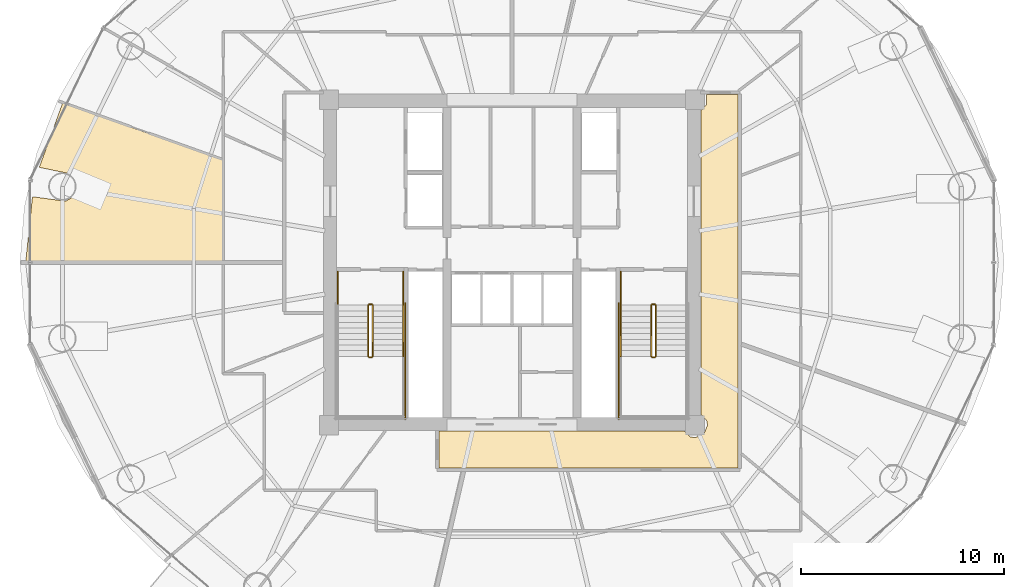
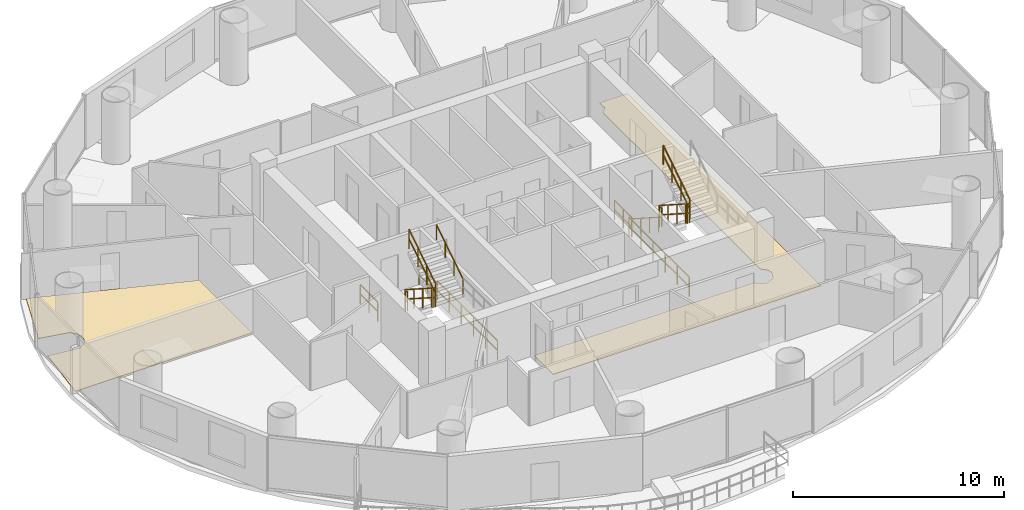
# One storey, part 25 of 26: 15 railings, 2 coverings.
"""IFC4 building model written with IfcOpenShell, lengths in metres."""

from ifc_helpers import new_model, si_unit, direction, frame, origin, origin_2d, place, context, subcontext, project, spatial, polyline, rectangle, outline, extrude, material, layer, layer_set, type_object, element, save


model = new_model("IFC4")

# Units and contexts
model_context = context("Model", 3, precision=1e-05, world=origin(), true_north=direction((-0.2419218956, 0.970295726276)))
body_context = subcontext(model_context, "Body", "Model", "MODEL_VIEW")
ifc_project = project(units=[si_unit("LENGTHUNIT", "METRE"), si_unit("AREAUNIT", "SQUARE_METRE"), si_unit("VOLUMEUNIT", "CUBIC_METRE"), si_unit("PLANEANGLEUNIT", "RADIAN"), si_unit("MASSUNIT", "GRAM", prefix="KILO")], contexts=[model_context])

# Site, building, storey
site_placement = place(None, origin())
site = spatial("IfcSite", under=ifc_project, at=site_placement, CompositionType="ELEMENT")
building_placement = place(site_placement, origin())
building = spatial("IfcBuilding", under=site, at=building_placement, Name="Cobrevalo Terracotta Tower", CompositionType="ELEMENT")
storey_placement = place(building_placement, frame((0.0, 0.0, 182.199951171875)))
storey = spatial("IfcBuildingStorey", under=building, at=storey_placement, Name="L48", CompositionType="ELEMENT", Elevation=182.199951171875)

# Coverings
ifc_material_1 = material(Name="Engineered Brazilian hardwood flooring", Category="wood")
ifc_layer_1 = layer(ifc_material_1, 0.028076171875)
ifc_layer_set_1 = layer_set([ifc_layer_1], Name="Engineered Brazilian hardwood flooring")
covering_type_1 = type_object("IfcCoveringType", Name="Engineered Hardwood Suite Flooring 28", PredefinedType="FLOORING", material=ifc_layer_set_1)
covering_1_placement = place(storey_placement, origin())
element("IfcCovering", 1, at=covering_1_placement, inside=storey, type_object=covering_type_1, Name="Flat L48B Penthouse Family Lounge floor finish", PredefinedType="FLOORING", context=body_context, shape_type="SweptSolid", body=[
    extrude(outline(polyline([(23.77490234375, 31.843017578125), (23.77490234375, 26.820068359375), (14.08154296875, 26.820068359375), (14.41357421875, 30.03369140625), (16.048583984375, 29.814697265625), (16.421630859375, 30.028076171875), (16.613037109375, 30.41259765625), (16.55859375, 30.8388671875), (16.2763671875, 31.1630859375), (14.748291015625, 31.478271484375), (15.898681640625, 34.647216796875), (23.77490234375, 31.843017578125)])), origin(), (0.0, 0.0, 1.0), 0.030029296875),
])
ifc_material_2 = material(Name="Honed terracotta and granite tile", Category="masonry")
ifc_layer_2 = layer(ifc_material_2, 0.034912109375)
ifc_layer_set_2 = layer_set([ifc_layer_2], Name="Honed terracotta and granite tile")
covering_type_2 = type_object("IfcCoveringType", Name="Honed Terracotta & Granite Interior Flooring 35", PredefinedType="FLOORING", material=ifc_layer_set_2)
covering_2_placement = place(storey_placement, origin())
element("IfcCovering", 2, at=covering_2_placement, inside=storey, type_object=covering_type_2, Name="L48 Residential Floor Corridor 1 floor finish", PredefinedType="FLOORING", context=body_context, shape_type="SweptSolid", body=[
    extrude(outline(polyline([(34.419921875, 18.5048828125), (46.46533203125, 18.5048828125), (46.7626953125, 18.226806640625), (47.0, 18.1796875), (47.438720703125, 18.361328125), (47.620361328125, 18.800048828125), (47.5732421875, 19.037353515625), (47.294921875, 19.334716796875), (47.294921875, 34.265380859375), (47.5732421875, 34.5625), (47.5615234375, 35.054931640625), (49.10498046875, 35.054931640625), (49.10498046875, 16.695068359375), (34.419921875, 16.695068359375), (34.419921875, 18.5048828125)])), origin(), (0.0, 0.0, 1.0), 0.030029296875),
])

# Railings
ifc_material_3 = material(Name="Brushed stainless steel", Category="steel")
railing_type_1 = type_object("IfcRailingType", Name="Stainless Steel Stair Handrail 900", PredefinedType="HANDRAIL", material=ifc_material_3)
railing_1_placement = place(storey_placement, frame((32.64501953125, 22.179931640625, 1.97998046875)))
element("IfcRailing", 3, at=railing_1_placement, inside=storey, type_object=railing_type_1, Name="L48 ST-1 stair handrail 2", PredefinedType="HANDRAIL", context=body_context, shape_type="SweptSolid", body=[
    extrude(rectangle(XDim=0.048095703125, YDim=0.048095703125, at=origin_2d()), frame((0.0, 0.0, 0.8759765625), z_axis=(0.0, 0.841162588446, 0.540782303519), x_axis=(-1.0, 0.0, 0.0)), (0.0, 0.0, 1.0), 2.995849609375),
    extrude(rectangle(XDim=0.0419921875, YDim=0.0419921875, at=origin_2d()), origin(), (0.0, 0.0, 1.0), 0.851806640625),
    extrude(rectangle(XDim=0.0419921875, YDim=0.0419921875, at=origin_2d()), frame((0.0, 0.840087890625, 0.5400390625)), (0.0, 0.0, 1.0), 0.851806640625),
    extrude(rectangle(XDim=0.0419921875, YDim=0.0419921875, at=origin_2d()), frame((0.0, 1.679931640625, 1.080078125)), (0.0, 0.0, 1.0), 0.851806640625),
    extrude(rectangle(XDim=0.0419921875, YDim=0.0419921875, at=origin_2d()), frame((0.0, 2.52001953125, 1.6201171875)), (0.0, 0.0, 1.0), 0.851806640625),
])
railing_2_placement = place(storey_placement, frame((43.35498046875, 24.699951171875, 0.179931640625)))
element("IfcRailing", 4, at=railing_2_placement, inside=storey, type_object=railing_type_1, Name="L48 ST-2 stair handrail 1", PredefinedType="HANDRAIL", context=body_context, shape_type="SweptSolid", body=[
    extrude(rectangle(XDim=0.048095703125, YDim=0.048095703125, at=origin_2d()), frame((0.0, 0.0, 0.8759765625), z_axis=(0.0, -0.841162588446, 0.540782303519), x_axis=(1.0, 0.0, 0.0)), (0.0, 0.0, 1.0), 2.995849609375),
    extrude(rectangle(XDim=0.0419921875, YDim=0.0419921875, at=origin_2d()), origin(), (0.0, 0.0, 1.0), 0.851806640625),
    extrude(rectangle(XDim=0.0419921875, YDim=0.0419921875, at=origin_2d()), frame((0.0, -0.840087890625, 0.5400390625)), (0.0, 0.0, 1.0), 0.851806640625),
    extrude(rectangle(XDim=0.0419921875, YDim=0.0419921875, at=origin_2d()), frame((0.0, -1.679931640625, 1.080078125)), (0.0, 0.0, 1.0), 0.851806640625),
    extrude(rectangle(XDim=0.0419921875, YDim=0.0419921875, at=origin_2d()), frame((0.0, -2.52001953125, 1.6201171875)), (0.0, 0.0, 1.0), 0.851806640625),
])
ifc_material_4 = material(Name="Painted galvanized steel", Category="steel")
railing_type_2 = type_object("IfcRailingType", Name="Stair Well Guard Balustrade 1150", PredefinedType="GUARDRAIL", material=ifc_material_4)
railing_3_placement = place(storey_placement, frame((30.925048828125, 24.699951171875, 0.179931640625)))
element("IfcRailing", 5, at=railing_3_placement, inside=storey, type_object=railing_type_2, Name="L48 ST-1 stair guard 1", PredefinedType="GUARDRAIL", context=body_context, shape_type="SweptSolid", body=[
    extrude(rectangle(XDim=0.048095703125, YDim=0.048095703125, at=origin_2d()), frame((0.0, 0.0, 1.1259765625), z_axis=(0.0, -0.841162588446, 0.540782303519), x_axis=(1.0, 0.0, 0.0)), (0.0, 0.0, 1.0), 2.995849609375),
    extrude(rectangle(XDim=0.048095703125, YDim=0.048095703125, at=origin_2d()), frame((0.0, 0.0, 0.574951171875), z_axis=(0.0, -0.841162588446, 0.540782303519), x_axis=(1.0, 0.0, 0.0)), (0.0, 0.0, 1.0), 2.995849609375),
    extrude(rectangle(XDim=0.0419921875, YDim=0.0419921875, at=origin_2d()), origin(), (0.0, 0.0, 1.0), 1.101806640625),
    extrude(rectangle(XDim=0.0419921875, YDim=0.0419921875, at=origin_2d()), frame((0.0, -0.840087890625, 0.5400390625)), (0.0, 0.0, 1.0), 1.101806640625),
    extrude(rectangle(XDim=0.0419921875, YDim=0.0419921875, at=origin_2d()), frame((0.0, -1.679931640625, 1.080078125)), (0.0, 0.0, 1.0), 1.101806640625),
    extrude(rectangle(XDim=0.0419921875, YDim=0.0419921875, at=origin_2d()), frame((0.0, -2.52001953125, 1.6201171875)), (0.0, 0.0, 1.0), 1.101806640625),
])
railing_4_placement = place(storey_placement, frame((30.97509765625, 22.1298828125, 1.800048828125)))
element("IfcRailing", 6, at=railing_4_placement, inside=storey, type_object=railing_type_2, Name="L48 ST-1 stair guard 2", PredefinedType="GUARDRAIL", context=body_context, shape_type="SweptSolid", body=[
    extrude(rectangle(XDim=0.048095703125, YDim=0.048095703125, at=origin_2d()), frame((0.0, 0.0, 1.1259765625), z_axis=(1.0, 0.0, 0.0), x_axis=(0.0, 1.0, 0.0)), (0.0, 0.0, 1.0), 0.119873046875),
    extrude(rectangle(XDim=0.048095703125, YDim=0.048095703125, at=origin_2d()), frame((0.0, 0.0, 0.574951171875), z_axis=(1.0, 0.0, 0.0), x_axis=(0.0, 1.0, 0.0)), (0.0, 0.0, 1.0), 0.119873046875),
    extrude(rectangle(XDim=0.0419921875, YDim=0.0419921875, at=origin_2d()), origin(), (0.0, 0.0, 1.0), 1.101806640625),
    extrude(rectangle(XDim=0.0419921875, YDim=0.0419921875, at=origin_2d()), frame((0.119873046875, 0.0, 0.0)), (0.0, 0.0, 1.0), 1.101806640625),
])
railing_5_placement = place(storey_placement, frame((31.14501953125, 22.179931640625, 1.97998046875)))
element("IfcRailing", 7, at=railing_5_placement, inside=storey, type_object=railing_type_2, Name="L48 ST-1 stair guard 6", PredefinedType="GUARDRAIL", context=body_context, shape_type="SweptSolid", body=[
    extrude(rectangle(XDim=0.048095703125, YDim=0.048095703125, at=origin_2d()), frame((0.0, 0.0, 1.1259765625), z_axis=(0.0, 0.841162588446, 0.540782303519), x_axis=(-1.0, 0.0, 0.0)), (0.0, 0.0, 1.0), 2.995849609375),
    extrude(rectangle(XDim=0.048095703125, YDim=0.048095703125, at=origin_2d()), frame((0.0, 0.0, 0.574951171875), z_axis=(0.0, 0.841162588446, 0.540782303519), x_axis=(-1.0, 0.0, 0.0)), (0.0, 0.0, 1.0), 2.995849609375),
    extrude(rectangle(XDim=0.0419921875, YDim=0.0419921875, at=origin_2d()), origin(), (0.0, 0.0, 1.0), 1.101806640625),
    extrude(rectangle(XDim=0.0419921875, YDim=0.0419921875, at=origin_2d()), frame((0.0, 0.840087890625, 0.5400390625)), (0.0, 0.0, 1.0), 1.101806640625),
    extrude(rectangle(XDim=0.0419921875, YDim=0.0419921875, at=origin_2d()), frame((0.0, 1.679931640625, 1.080078125)), (0.0, 0.0, 1.0), 1.101806640625),
    extrude(rectangle(XDim=0.0419921875, YDim=0.0419921875, at=origin_2d()), frame((0.0, 2.52001953125, 1.6201171875)), (0.0, 0.0, 1.0), 1.101806640625),
])
railing_6_placement = place(storey_placement, frame((30.97509765625, 24.75, 0.0)))
element("IfcRailing", 8, at=railing_6_placement, inside=storey, type_object=railing_type_2, Name="L48 ST-1 stair guard 7", PredefinedType="GUARDRAIL", context=body_context, shape_type="SweptSolid", body=[
    extrude(rectangle(XDim=0.048095703125, YDim=0.048095703125, at=origin_2d()), frame((0.0, 0.0, 1.1259765625), z_axis=(1.0, 0.0, 0.0), x_axis=(0.0, 1.0, 0.0)), (0.0, 0.0, 1.0), 0.119873046875),
    extrude(rectangle(XDim=0.048095703125, YDim=0.048095703125, at=origin_2d()), frame((0.0, 0.0, 0.574951171875), z_axis=(1.0, 0.0, 0.0), x_axis=(0.0, 1.0, 0.0)), (0.0, 0.0, 1.0), 0.119873046875),
    extrude(rectangle(XDim=0.0419921875, YDim=0.0419921875, at=origin_2d()), origin(), (0.0, 0.0, 1.0), 1.101806640625),
    extrude(rectangle(XDim=0.0419921875, YDim=0.0419921875, at=origin_2d()), frame((0.119873046875, 0.0, 0.0)), (0.0, 0.0, 1.0), 1.101806640625),
])
for number, where, name in (
    (9, (29.425048828125, 26.35009765625, 0.0), "L48 ST-1 stair guard 8"),
    (10, (32.64501953125, 26.35009765625, 0.0), "L48 ST-1 stair guard 9"),
):
    element("IfcRailing", number, at=place(storey_placement, frame(where)), inside=storey, type_object=railing_type_2, Name=name, PredefinedType="GUARDRAIL", context=body_context, shape_type="SweptSolid", body=[
        extrude(rectangle(XDim=0.048095703125, YDim=0.048095703125, at=origin_2d()), frame((0.0, 0.0, 1.1259765625), z_axis=(0.0, -1.0, 0.0), x_axis=(1.0, 0.0, 0.0)), (0.0, 0.0, 1.0), 1.650146484375),
        extrude(rectangle(XDim=0.048095703125, YDim=0.048095703125, at=origin_2d()), frame((0.0, 0.0, 0.574951171875), z_axis=(0.0, -1.0, 0.0), x_axis=(1.0, 0.0, 0.0)), (0.0, 0.0, 1.0), 1.650146484375),
        extrude(rectangle(XDim=0.0419921875, YDim=0.0419921875, at=origin_2d()), origin(), (0.0, 0.0, 1.0), 1.101806640625),
        extrude(rectangle(XDim=0.0419921875, YDim=0.0419921875, at=origin_2d()), frame((0.0, -0.8251953125, 0.0)), (0.0, 0.0, 1.0), 1.101806640625),
        extrude(rectangle(XDim=0.0419921875, YDim=0.0419921875, at=origin_2d()), frame((0.0, -1.650146484375, 0.0)), (0.0, 0.0, 1.0), 1.101806640625),
    ])
railing_7_placement = place(storey_placement, frame((32.7451171875, 24.800048828125, 0.0)))
element("IfcRailing", 11, at=railing_7_placement, inside=storey, type_object=railing_type_2, Name="L48 ST-1 stair guard 11", PredefinedType="GUARDRAIL", context=body_context, shape_type="SweptSolid", body=[
    extrude(rectangle(XDim=0.048095703125, YDim=0.048095703125, at=origin_2d()), frame((0.0, 0.0, 1.1259765625), z_axis=(0.0, -1.0, 0.0), x_axis=(1.0, 0.0, 0.0)), (0.0, 0.0, 1.0), 5.72509765625),
    extrude(rectangle(XDim=0.048095703125, YDim=0.048095703125, at=origin_2d()), frame((0.0, 0.0, 0.574951171875), z_axis=(0.0, -1.0, 0.0), x_axis=(1.0, 0.0, 0.0)), (0.0, 0.0, 1.0), 5.72509765625),
    extrude(rectangle(XDim=0.0419921875, YDim=0.0419921875, at=origin_2d()), origin(), (0.0, 0.0, 1.0), 1.101806640625),
    extrude(rectangle(XDim=0.0419921875, YDim=0.0419921875, at=origin_2d()), frame((0.0, -1.14501953125, 0.0)), (0.0, 0.0, 1.0), 1.101806640625),
    extrude(rectangle(XDim=0.0419921875, YDim=0.0419921875, at=origin_2d()), frame((0.0, -2.2900390625, 0.0)), (0.0, 0.0, 1.0), 1.101806640625),
    extrude(rectangle(XDim=0.0419921875, YDim=0.0419921875, at=origin_2d()), frame((0.0, -3.43505859375, 0.0)), (0.0, 0.0, 1.0), 1.101806640625),
    extrude(rectangle(XDim=0.0419921875, YDim=0.0419921875, at=origin_2d()), frame((0.0, -4.580078125, 0.0)), (0.0, 0.0, 1.0), 1.101806640625),
    extrude(rectangle(XDim=0.0419921875, YDim=0.0419921875, at=origin_2d()), frame((0.0, -5.72509765625, 0.0)), (0.0, 0.0, 1.0), 1.101806640625),
])
railing_8_placement = place(storey_placement, frame((44.85498046875, 24.699951171875, 0.179931640625)))
element("IfcRailing", 12, at=railing_8_placement, inside=storey, type_object=railing_type_2, Name="L48 ST-2 stair guard 1", PredefinedType="GUARDRAIL", context=body_context, shape_type="SweptSolid", body=[
    extrude(rectangle(XDim=0.048095703125, YDim=0.048095703125, at=origin_2d()), frame((0.0, 0.0, 1.1259765625), z_axis=(0.0, -0.841162588446, 0.540782303519), x_axis=(1.0, 0.0, 0.0)), (0.0, 0.0, 1.0), 2.995849609375),
    extrude(rectangle(XDim=0.048095703125, YDim=0.048095703125, at=origin_2d()), frame((0.0, 0.0, 0.574951171875), z_axis=(0.0, -0.841162588446, 0.540782303519), x_axis=(1.0, 0.0, 0.0)), (0.0, 0.0, 1.0), 2.995849609375),
    extrude(rectangle(XDim=0.0419921875, YDim=0.0419921875, at=origin_2d()), origin(), (0.0, 0.0, 1.0), 1.101806640625),
    extrude(rectangle(XDim=0.0419921875, YDim=0.0419921875, at=origin_2d()), frame((0.0, -0.840087890625, 0.5400390625)), (0.0, 0.0, 1.0), 1.101806640625),
    extrude(rectangle(XDim=0.0419921875, YDim=0.0419921875, at=origin_2d()), frame((0.0, -1.679931640625, 1.080078125)), (0.0, 0.0, 1.0), 1.101806640625),
    extrude(rectangle(XDim=0.0419921875, YDim=0.0419921875, at=origin_2d()), frame((0.0, -2.52001953125, 1.6201171875)), (0.0, 0.0, 1.0), 1.101806640625),
])
railing_9_placement = place(storey_placement, frame((44.905029296875, 22.1298828125, 1.800048828125)))
element("IfcRailing", 13, at=railing_9_placement, inside=storey, type_object=railing_type_2, Name="L48 ST-2 stair guard 2", PredefinedType="GUARDRAIL", context=body_context, shape_type="SweptSolid", body=[
    extrude(rectangle(XDim=0.048095703125, YDim=0.048095703125, at=origin_2d()), frame((0.0, 0.0, 1.1259765625), z_axis=(1.0, 0.0, 0.0), x_axis=(0.0, 1.0, 0.0)), (0.0, 0.0, 1.0), 0.119873046875),
    extrude(rectangle(XDim=0.048095703125, YDim=0.048095703125, at=origin_2d()), frame((0.0, 0.0, 0.574951171875), z_axis=(1.0, 0.0, 0.0), x_axis=(0.0, 1.0, 0.0)), (0.0, 0.0, 1.0), 0.119873046875),
    extrude(rectangle(XDim=0.0419921875, YDim=0.0419921875, at=origin_2d()), origin(), (0.0, 0.0, 1.0), 1.101806640625),
    extrude(rectangle(XDim=0.0419921875, YDim=0.0419921875, at=origin_2d()), frame((0.119873046875, 0.0, 0.0)), (0.0, 0.0, 1.0), 1.101806640625),
])
railing_10_placement = place(storey_placement, frame((45.074951171875, 22.179931640625, 1.97998046875)))
element("IfcRailing", 14, at=railing_10_placement, inside=storey, type_object=railing_type_2, Name="L48 ST-2 stair guard 6", PredefinedType="GUARDRAIL", context=body_context, shape_type="SweptSolid", body=[
    extrude(rectangle(XDim=0.048095703125, YDim=0.048095703125, at=origin_2d()), frame((0.0, 0.0, 1.1259765625), z_axis=(0.0, 0.841162588446, 0.540782303519), x_axis=(-1.0, 0.0, 0.0)), (0.0, 0.0, 1.0), 2.995849609375),
    extrude(rectangle(XDim=0.048095703125, YDim=0.048095703125, at=origin_2d()), frame((0.0, 0.0, 0.574951171875), z_axis=(0.0, 0.841162588446, 0.540782303519), x_axis=(-1.0, 0.0, 0.0)), (0.0, 0.0, 1.0), 2.995849609375),
    extrude(rectangle(XDim=0.0419921875, YDim=0.0419921875, at=origin_2d()), origin(), (0.0, 0.0, 1.0), 1.101806640625),
    extrude(rectangle(XDim=0.0419921875, YDim=0.0419921875, at=origin_2d()), frame((0.0, 0.840087890625, 0.5400390625)), (0.0, 0.0, 1.0), 1.101806640625),
    extrude(rectangle(XDim=0.0419921875, YDim=0.0419921875, at=origin_2d()), frame((0.0, 1.679931640625, 1.080078125)), (0.0, 0.0, 1.0), 1.101806640625),
    extrude(rectangle(XDim=0.0419921875, YDim=0.0419921875, at=origin_2d()), frame((0.0, 2.52001953125, 1.6201171875)), (0.0, 0.0, 1.0), 1.101806640625),
])
railing_11_placement = place(storey_placement, frame((44.905029296875, 24.75, 0.0)))
element("IfcRailing", 15, at=railing_11_placement, inside=storey, type_object=railing_type_2, Name="L48 ST-2 stair guard 7", PredefinedType="GUARDRAIL", context=body_context, shape_type="SweptSolid", body=[
    extrude(rectangle(XDim=0.048095703125, YDim=0.048095703125, at=origin_2d()), frame((0.0, 0.0, 1.1259765625), z_axis=(1.0, 0.0, 0.0), x_axis=(0.0, 1.0, 0.0)), (0.0, 0.0, 1.0), 0.119873046875),
    extrude(rectangle(XDim=0.048095703125, YDim=0.048095703125, at=origin_2d()), frame((0.0, 0.0, 0.574951171875), z_axis=(1.0, 0.0, 0.0), x_axis=(0.0, 1.0, 0.0)), (0.0, 0.0, 1.0), 0.119873046875),
    extrude(rectangle(XDim=0.0419921875, YDim=0.0419921875, at=origin_2d()), origin(), (0.0, 0.0, 1.0), 1.101806640625),
    extrude(rectangle(XDim=0.0419921875, YDim=0.0419921875, at=origin_2d()), frame((0.119873046875, 0.0, 0.0)), (0.0, 0.0, 1.0), 1.101806640625),
])
railing_12_placement = place(storey_placement, frame((43.35498046875, 26.35009765625, 0.0)))
element("IfcRailing", 16, at=railing_12_placement, inside=storey, type_object=railing_type_2, Name="L48 ST-2 stair guard 8", PredefinedType="GUARDRAIL", context=body_context, shape_type="SweptSolid", body=[
    extrude(rectangle(XDim=0.048095703125, YDim=0.048095703125, at=origin_2d()), frame((0.0, 0.0, 1.1259765625), z_axis=(0.0, -1.0, 0.0), x_axis=(1.0, 0.0, 0.0)), (0.0, 0.0, 1.0), 1.650146484375),
    extrude(rectangle(XDim=0.048095703125, YDim=0.048095703125, at=origin_2d()), frame((0.0, 0.0, 0.574951171875), z_axis=(0.0, -1.0, 0.0), x_axis=(1.0, 0.0, 0.0)), (0.0, 0.0, 1.0), 1.650146484375),
    extrude(rectangle(XDim=0.0419921875, YDim=0.0419921875, at=origin_2d()), origin(), (0.0, 0.0, 1.0), 1.101806640625),
    extrude(rectangle(XDim=0.0419921875, YDim=0.0419921875, at=origin_2d()), frame((0.0, -0.8251953125, 0.0)), (0.0, 0.0, 1.0), 1.101806640625),
    extrude(rectangle(XDim=0.0419921875, YDim=0.0419921875, at=origin_2d()), frame((0.0, -1.650146484375, 0.0)), (0.0, 0.0, 1.0), 1.101806640625),
])
railing_13_placement = place(storey_placement, frame((43.2548828125, 24.800048828125, 0.0)))
element("IfcRailing", 17, at=railing_13_placement, inside=storey, type_object=railing_type_2, Name="L48 ST-2 stair guard 10", PredefinedType="GUARDRAIL", context=body_context, shape_type="SweptSolid", body=[
    extrude(rectangle(XDim=0.048095703125, YDim=0.048095703125, at=origin_2d()), frame((0.0, 0.0, 1.1259765625), z_axis=(0.0, -1.0, 0.0), x_axis=(1.0, 0.0, 0.0)), (0.0, 0.0, 1.0), 5.72509765625),
    extrude(rectangle(XDim=0.048095703125, YDim=0.048095703125, at=origin_2d()), frame((0.0, 0.0, 0.574951171875), z_axis=(0.0, -1.0, 0.0), x_axis=(1.0, 0.0, 0.0)), (0.0, 0.0, 1.0), 5.72509765625),
    extrude(rectangle(XDim=0.0419921875, YDim=0.0419921875, at=origin_2d()), origin(), (0.0, 0.0, 1.0), 1.101806640625),
    extrude(rectangle(XDim=0.0419921875, YDim=0.0419921875, at=origin_2d()), frame((0.0, -1.14501953125, 0.0)), (0.0, 0.0, 1.0), 1.101806640625),
    extrude(rectangle(XDim=0.0419921875, YDim=0.0419921875, at=origin_2d()), frame((0.0, -2.2900390625, 0.0)), (0.0, 0.0, 1.0), 1.101806640625),
    extrude(rectangle(XDim=0.0419921875, YDim=0.0419921875, at=origin_2d()), frame((0.0, -3.43505859375, 0.0)), (0.0, 0.0, 1.0), 1.101806640625),
    extrude(rectangle(XDim=0.0419921875, YDim=0.0419921875, at=origin_2d()), frame((0.0, -4.580078125, 0.0)), (0.0, 0.0, 1.0), 1.101806640625),
    extrude(rectangle(XDim=0.0419921875, YDim=0.0419921875, at=origin_2d()), frame((0.0, -5.72509765625, 0.0)), (0.0, 0.0, 1.0), 1.101806640625),
])

save(model, "model.ifc")
